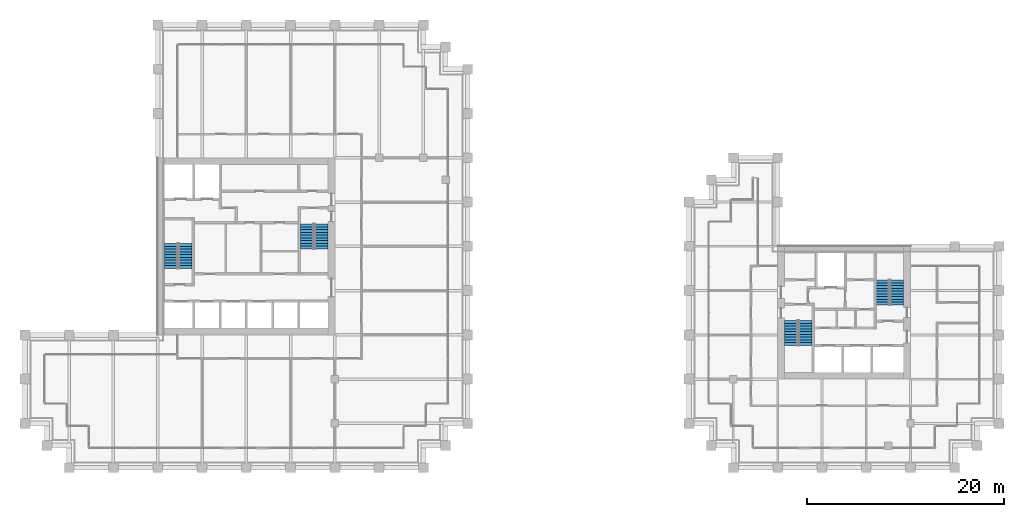
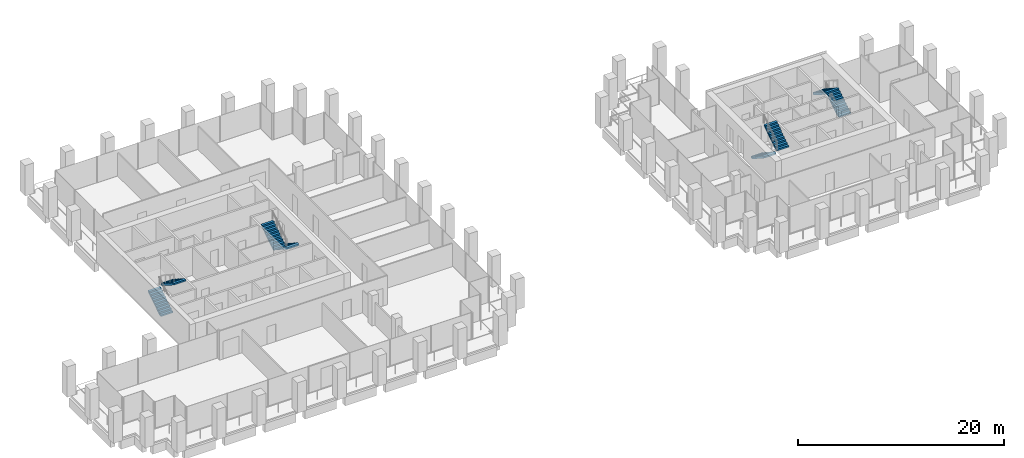
# One storey, part 45 of 47: 8 stair flights, 4 elements without a shape of their own.
"""IFC4 building model written with IfcOpenShell, lengths in metres."""

from ifc_helpers import new_model, si_unit, direction, frame, origin, place, context, subcontext, project, spatial, polyline, outline, extrude, material, type_object, element, aggregate, save


model = new_model("IFC4")

# Units and contexts
model_context = context("Model", 3, precision=1e-05, world=origin(), true_north=direction((0.0, 1.0)))
body_context = subcontext(model_context, "Body", "Model", "MODEL_VIEW")
ifc_project = project(units=[si_unit("LENGTHUNIT", "METRE"), si_unit("AREAUNIT", "SQUARE_METRE"), si_unit("VOLUMEUNIT", "CUBIC_METRE"), si_unit("PLANEANGLEUNIT", "RADIAN"), si_unit("MASSUNIT", "GRAM", prefix="KILO")], contexts=[model_context])

# Site, building, storey
site_placement = place(None, origin())
site = spatial("IfcSite", under=ifc_project, at=site_placement, CompositionType="ELEMENT")
building_placement = place(site_placement, origin())
building = spatial("IfcBuilding", under=site, at=building_placement, Name="Altepetl Exchange Towers", CompositionType="ELEMENT")
storey_placement = place(building_placement, frame((0.0, 0.0, 99.199951171875)))
storey = spatial("IfcBuildingStorey", under=building, at=storey_placement, Name="L24", CompositionType="ELEMENT", Elevation=99.199951171875)

# Stair, stair flights
ifc_material = material(Name="Concrete C40/50", Category="concrete")
stair_type = type_object("IfcStairType", Name="Exit stair 1350 flights dogleg", PredefinedType="HALF_TURN_STAIR", material=ifc_material)
stair_1_placement = place(storey_placement, origin())
stair_1 = element("IfcStair", 1, at=stair_1_placement, inside=storey, type_object=stair_type, Name="Exit stair 1", PredefinedType="HALF_TURN_STAIR")
stair_flight_type = type_object("IfcStairFlightType", Name="Stair flight 1350 wide", PredefinedType="STRAIGHT", material=ifc_material)
stair_flight_1_placement = place(storey_placement, frame((41.875, 47.25, 0.0), z_axis=(0.0, 0.0, 1.0), x_axis=(0.0, 1.0, 0.0)))
stair_flight_1 = element("IfcStairFlight", 2, at=stair_flight_1_placement, type_object=stair_flight_type, Name="ST-A1d flight 1", NumberOfRisers=10, NumberOfTreads=9, PredefinedType="STRAIGHT", RiserHeight=0.18, TreadLength=0.28, context=body_context, shape_type="SweptSolid", body=[
    extrude(outline(polyline([(0.0, 0.0), (0.0, 0.179931640625), (0.280029296875, 0.179931640625), (0.280029296875, 0.360107421875), (0.56005859375, 0.360107421875), (0.56005859375, 0.5400390625), (0.840087890625, 0.5400390625), (0.840087890625, 0.719970703125), (1.1201171875, 0.719970703125), (1.1201171875, 0.89990234375), (1.39990234375, 0.89990234375), (1.39990234375, 1.080078125), (1.679931640625, 1.080078125), (1.679931640625, 1.260009765625), (1.9599609375, 1.260009765625), (1.9599609375, 1.43994140625), (2.239990234375, 1.43994140625), (2.239990234375, 1.6201171875), (2.52001953125, 1.6201171875), (2.52001953125, 1.800048828125), (2.52001953125, 1.44189453125), (0.277099609375, 0.0), (0.0, 0.0)])), frame((0.0, 0.675048828125, 0.0), z_axis=(0.0, -1.0, 0.0), x_axis=(1.0, 0.0, 0.0)), (0.0, 0.0, 1.0), 1.35009765625),
])
stair_flight_2_placement = place(storey_placement, frame((43.324951171875, 49.77001953125, 1.800048828125), z_axis=(0.0, 0.0, 1.0), x_axis=(0.0, -1.0, 0.0)))
stair_flight_2 = element("IfcStairFlight", 3, at=stair_flight_2_placement, type_object=stair_flight_type, Name="ST-A1d flight 2", NumberOfRisers=10, NumberOfTreads=9, PredefinedType="STRAIGHT", RiserHeight=0.18, TreadLength=0.28, context=body_context, shape_type="SweptSolid", body=[
    extrude(outline(polyline([(0.0, 0.0), (0.0, 0.179931640625), (0.280029296875, 0.179931640625), (0.280029296875, 0.360107421875), (0.56005859375, 0.360107421875), (0.56005859375, 0.5400390625), (0.840087890625, 0.5400390625), (0.840087890625, 0.719970703125), (1.1201171875, 0.719970703125), (1.1201171875, 0.89990234375), (1.39990234375, 0.89990234375), (1.39990234375, 1.080078125), (1.679931640625, 1.080078125), (1.679931640625, 1.260009765625), (1.9599609375, 1.260009765625), (1.9599609375, 1.43994140625), (2.239990234375, 1.43994140625), (2.239990234375, 1.6201171875), (2.52001953125, 1.6201171875), (2.52001953125, 1.800048828125), (2.52001953125, 1.44189453125), (0.277099609375, 0.0), (0.0, 0.0)])), frame((0.0, 0.675048828125, 0.0), z_axis=(0.0, -1.0, 0.0), x_axis=(1.0, 0.0, 0.0)), (0.0, 0.0, 1.0), 1.35009765625),
])
aggregate(stair_1, [stair_flight_1, stair_flight_2])

stair_2_placement = place(storey_placement, origin())
stair_2 = element("IfcStair", 4, at=stair_2_placement, inside=storey, type_object=stair_type, Name="Exit stair 2", PredefinedType="HALF_TURN_STAIR")
stair_flight_3_placement = place(storey_placement, frame((57.125, 51.75, 0.0), z_axis=(0.0, 0.0, 1.0), x_axis=(0.0, -1.0, 0.0)))
stair_flight_3 = element("IfcStairFlight", 5, at=stair_flight_3_placement, type_object=stair_flight_type, Name="ST-A2d flight 1", NumberOfRisers=10, NumberOfTreads=9, PredefinedType="STRAIGHT", RiserHeight=0.18, TreadLength=0.28, context=body_context, shape_type="SweptSolid", body=[
    extrude(outline(polyline([(0.0, 0.0), (0.0, 0.179931640625), (0.280029296875, 0.179931640625), (0.280029296875, 0.360107421875), (0.56005859375, 0.360107421875), (0.56005859375, 0.5400390625), (0.840087890625, 0.5400390625), (0.840087890625, 0.719970703125), (1.1201171875, 0.719970703125), (1.1201171875, 0.89990234375), (1.39990234375, 0.89990234375), (1.39990234375, 1.080078125), (1.679931640625, 1.080078125), (1.679931640625, 1.260009765625), (1.9599609375, 1.260009765625), (1.9599609375, 1.43994140625), (2.239990234375, 1.43994140625), (2.239990234375, 1.6201171875), (2.52001953125, 1.6201171875), (2.52001953125, 1.800048828125), (2.52001953125, 1.44189453125), (0.277099609375, 0.0), (0.0, 0.0)])), frame((0.0, 0.675048828125, 0.0), z_axis=(0.0, -1.0, 0.0), x_axis=(1.0, 0.0, 0.0)), (0.0, 0.0, 1.0), 1.35009765625),
])
stair_flight_4_placement = place(storey_placement, frame((55.675048828125, 49.22998046875, 1.800048828125), z_axis=(0.0, 0.0, 1.0), x_axis=(0.0, 1.0, 0.0)))
stair_flight_4 = element("IfcStairFlight", 6, at=stair_flight_4_placement, type_object=stair_flight_type, Name="ST-A2d flight 2", NumberOfRisers=10, NumberOfTreads=9, PredefinedType="STRAIGHT", RiserHeight=0.18, TreadLength=0.28, context=body_context, shape_type="SweptSolid", body=[
    extrude(outline(polyline([(0.0, 0.0), (0.0, 0.179931640625), (0.280029296875, 0.179931640625), (0.280029296875, 0.360107421875), (0.56005859375, 0.360107421875), (0.56005859375, 0.5400390625), (0.840087890625, 0.5400390625), (0.840087890625, 0.719970703125), (1.1201171875, 0.719970703125), (1.1201171875, 0.89990234375), (1.39990234375, 0.89990234375), (1.39990234375, 1.080078125), (1.679931640625, 1.080078125), (1.679931640625, 1.260009765625), (1.9599609375, 1.260009765625), (1.9599609375, 1.43994140625), (2.239990234375, 1.43994140625), (2.239990234375, 1.6201171875), (2.52001953125, 1.6201171875), (2.52001953125, 1.800048828125), (2.52001953125, 1.44189453125), (0.277099609375, 0.0), (0.0, 0.0)])), frame((0.0, 0.675048828125, 0.0), z_axis=(0.0, -1.0, 0.0), x_axis=(1.0, 0.0, 0.0)), (0.0, 0.0, 1.0), 1.35009765625),
])
aggregate(stair_2, [stair_flight_3, stair_flight_4])

stair_3_placement = place(storey_placement, origin())
stair_3 = element("IfcStair", 7, at=stair_3_placement, inside=storey, type_object=stair_type, Name="Exit stair 1", PredefinedType="HALF_TURN_STAIR")
stair_flight_5_placement = place(storey_placement, frame((104.875, 41.949951171875, 0.0), z_axis=(0.0, 0.0, 1.0), x_axis=(0.0, -1.0, 0.0)))
stair_flight_5 = element("IfcStairFlight", 8, at=stair_flight_5_placement, type_object=stair_flight_type, Name="ST-B1d flight 1", NumberOfRisers=10, NumberOfTreads=9, PredefinedType="STRAIGHT", RiserHeight=0.18, TreadLength=0.28, context=body_context, shape_type="SweptSolid", body=[
    extrude(outline(polyline([(0.0, 0.0), (0.0, 0.179931640625), (0.280029296875, 0.179931640625), (0.280029296875, 0.360107421875), (0.56005859375, 0.360107421875), (0.56005859375, 0.5400390625), (0.840087890625, 0.5400390625), (0.840087890625, 0.719970703125), (1.1201171875, 0.719970703125), (1.1201171875, 0.89990234375), (1.39990234375, 0.89990234375), (1.39990234375, 1.080078125), (1.679931640625, 1.080078125), (1.679931640625, 1.260009765625), (1.9599609375, 1.260009765625), (1.9599609375, 1.43994140625), (2.239990234375, 1.43994140625), (2.239990234375, 1.6201171875), (2.52001953125, 1.6201171875), (2.52001953125, 1.800048828125), (2.52001953125, 1.44189453125), (0.277099609375, 0.0), (0.0, 0.0)])), frame((0.0, 0.675048828125, 0.0), z_axis=(0.0, -1.0, 0.0), x_axis=(1.0, 0.0, 0.0)), (0.0, 0.0, 1.0), 1.35009765625),
])
stair_flight_6_placement = place(storey_placement, frame((106.324951171875, 39.429931640625, 1.800048828125), z_axis=(0.0, 0.0, 1.0), x_axis=(0.0, 1.0, 0.0)))
stair_flight_6 = element("IfcStairFlight", 9, at=stair_flight_6_placement, type_object=stair_flight_type, Name="ST-B1d flight 2", NumberOfRisers=10, NumberOfTreads=9, PredefinedType="STRAIGHT", RiserHeight=0.18, TreadLength=0.28, context=body_context, shape_type="SweptSolid", body=[
    extrude(outline(polyline([(0.0, 0.0), (0.0, 0.179931640625), (0.280029296875, 0.179931640625), (0.280029296875, 0.360107421875), (0.56005859375, 0.360107421875), (0.56005859375, 0.5400390625), (0.840087890625, 0.5400390625), (0.840087890625, 0.719970703125), (1.1201171875, 0.719970703125), (1.1201171875, 0.89990234375), (1.39990234375, 0.89990234375), (1.39990234375, 1.080078125), (1.679931640625, 1.080078125), (1.679931640625, 1.260009765625), (1.9599609375, 1.260009765625), (1.9599609375, 1.43994140625), (2.239990234375, 1.43994140625), (2.239990234375, 1.6201171875), (2.52001953125, 1.6201171875), (2.52001953125, 1.800048828125), (2.52001953125, 1.44189453125), (0.277099609375, 0.0), (0.0, 0.0)])), frame((0.0, 0.675048828125, 0.0), z_axis=(0.0, -1.0, 0.0), x_axis=(1.0, 0.0, 0.0)), (0.0, 0.0, 1.0), 1.35009765625),
])
aggregate(stair_3, [stair_flight_5, stair_flight_6])

stair_4_placement = place(storey_placement, origin())
stair_4 = element("IfcStair", 10, at=stair_4_placement, inside=storey, type_object=stair_type, Name="Exit stair 2", PredefinedType="HALF_TURN_STAIR")
stair_flight_7_placement = place(storey_placement, frame((115.625, 43.550048828125, 0.0), z_axis=(0.0, 0.0, 1.0), x_axis=(0.0, 1.0, 0.0)))
stair_flight_7 = element("IfcStairFlight", 11, at=stair_flight_7_placement, type_object=stair_flight_type, Name="ST-B2d flight 1", NumberOfRisers=10, NumberOfTreads=9, PredefinedType="STRAIGHT", RiserHeight=0.18, TreadLength=0.28, context=body_context, shape_type="SweptSolid", body=[
    extrude(outline(polyline([(0.0, 0.0), (0.0, 0.179931640625), (0.280029296875, 0.179931640625), (0.280029296875, 0.360107421875), (0.56005859375, 0.360107421875), (0.56005859375, 0.5400390625), (0.840087890625, 0.5400390625), (0.840087890625, 0.719970703125), (1.1201171875, 0.719970703125), (1.1201171875, 0.89990234375), (1.39990234375, 0.89990234375), (1.39990234375, 1.080078125), (1.679931640625, 1.080078125), (1.679931640625, 1.260009765625), (1.9599609375, 1.260009765625), (1.9599609375, 1.43994140625), (2.239990234375, 1.43994140625), (2.239990234375, 1.6201171875), (2.52001953125, 1.6201171875), (2.52001953125, 1.800048828125), (2.52001953125, 1.44189453125), (0.277099609375, 0.0), (0.0, 0.0)])), frame((0.0, 0.675048828125, 0.0), z_axis=(0.0, -1.0, 0.0), x_axis=(1.0, 0.0, 0.0)), (0.0, 0.0, 1.0), 1.35009765625),
])
stair_flight_8_placement = place(storey_placement, frame((114.175048828125, 46.070068359375, 1.800048828125), z_axis=(0.0, 0.0, 1.0), x_axis=(0.0, -1.0, 0.0)))
stair_flight_8 = element("IfcStairFlight", 12, at=stair_flight_8_placement, type_object=stair_flight_type, Name="ST-B2d flight 2", NumberOfRisers=10, NumberOfTreads=9, PredefinedType="STRAIGHT", RiserHeight=0.18, TreadLength=0.28, context=body_context, shape_type="SweptSolid", body=[
    extrude(outline(polyline([(0.0, 0.0), (0.0, 0.179931640625), (0.280029296875, 0.179931640625), (0.280029296875, 0.360107421875), (0.56005859375, 0.360107421875), (0.56005859375, 0.5400390625), (0.840087890625, 0.5400390625), (0.840087890625, 0.719970703125), (1.1201171875, 0.719970703125), (1.1201171875, 0.89990234375), (1.39990234375, 0.89990234375), (1.39990234375, 1.080078125), (1.679931640625, 1.080078125), (1.679931640625, 1.260009765625), (1.9599609375, 1.260009765625), (1.9599609375, 1.43994140625), (2.239990234375, 1.43994140625), (2.239990234375, 1.6201171875), (2.52001953125, 1.6201171875), (2.52001953125, 1.800048828125), (2.52001953125, 1.44189453125), (0.277099609375, 0.0), (0.0, 0.0)])), frame((0.0, 0.675048828125, 0.0), z_axis=(0.0, -1.0, 0.0), x_axis=(1.0, 0.0, 0.0)), (0.0, 0.0, 1.0), 1.35009765625),
])
aggregate(stair_4, [stair_flight_7, stair_flight_8])

save(model, "model.ifc")
